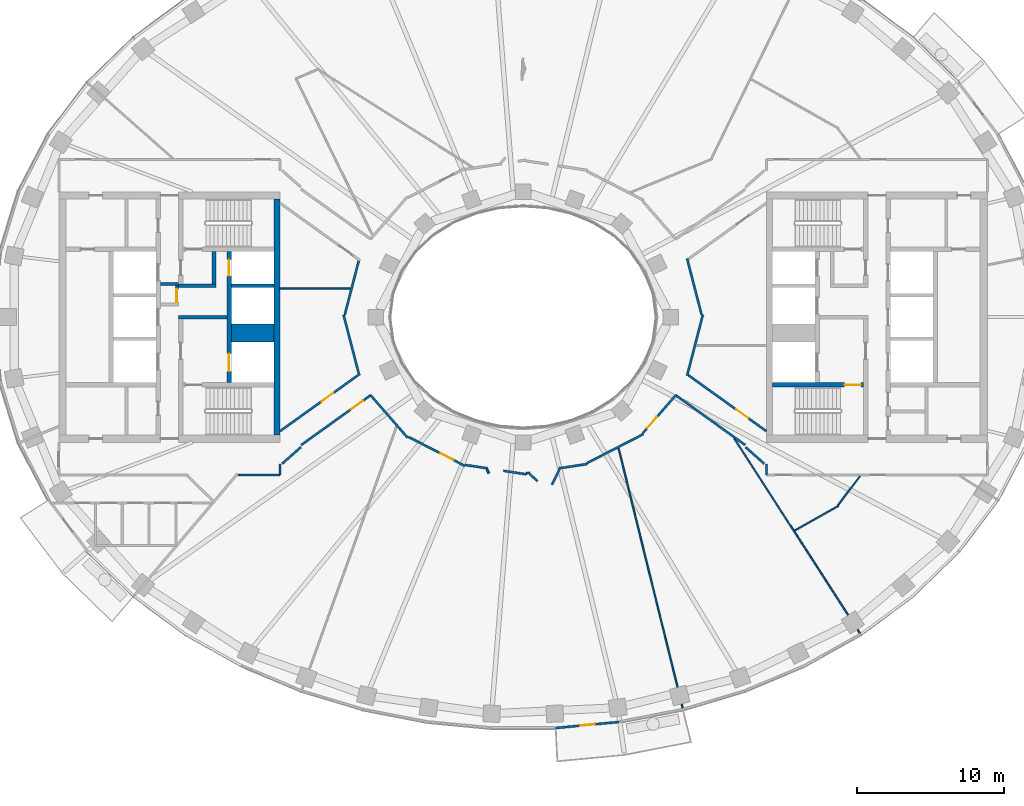
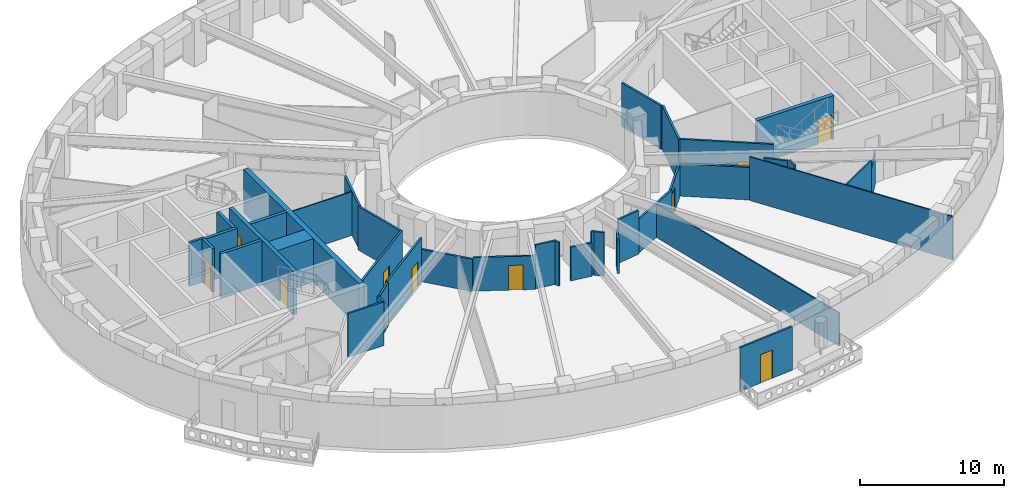
# One storey, part 4 of 16: 40 walls, 10 doors, 10 openings.
"""IFC4 building model written with IfcOpenShell, lengths in metres."""

from ifc_helpers import new_model, si_unit, direction, frame, frame_2d, origin, place, context, subcontext, project, spatial, rectangle, extrude, material, layer, layer_set, type_object, element, fill, save


model = new_model("IFC4")

# Units and contexts
model_context = context("Model", 3, precision=1e-05, world=origin(), true_north=direction((0.0, 1.0)))
body_context = subcontext(model_context, "Body", "Model", "MODEL_VIEW")
ifc_project = project(units=[si_unit("LENGTHUNIT", "METRE"), si_unit("AREAUNIT", "SQUARE_METRE"), si_unit("VOLUMEUNIT", "CUBIC_METRE"), si_unit("PLANEANGLEUNIT", "RADIAN"), si_unit("MASSUNIT", "GRAM", prefix="KILO")], contexts=[model_context])

# Site, building, storey
site_placement = place(None, origin())
site = spatial("IfcSite", under=ifc_project, at=site_placement, CompositionType="ELEMENT")
building_placement = place(site_placement, origin())
building = spatial("IfcBuilding", under=site, at=building_placement, Name="Noorbagh Ring Tower", CompositionType="ELEMENT")
storey_placement = place(building_placement, frame((0.0, 0.0, 186.0)))
storey = spatial("IfcBuildingStorey", under=building, at=storey_placement, Name="L43", CompositionType="ELEMENT", Elevation=186.0)

# Wall
ifc_material_1 = material(Name="Gypsum board on steel studs", Category="steel")
ifc_layer_1 = layer(ifc_material_1, 0.199951171875)
ifc_layer_set_1 = layer_set([ifc_layer_1], Name="Gypsum board on steel studs")
wall_type_1 = type_object("IfcWallType", Name="CORE-PARTITION-200", PredefinedType="PARTITIONING", material=ifc_layer_set_1)
wall_1_placement = place(storey_placement, frame((-23.39990234375, 2.25, 0.0), z_axis=(0.0, 0.0, 1.0), x_axis=(-1.0, 0.0, 0.0)))
element("IfcWall", 1, at=wall_1_placement, inside=storey, type_object=wall_type_1, Name="Core partition W", PredefinedType="PARTITIONING", context=body_context, shape_type="SweptSolid", body=[
    extrude(rectangle(XDim=1.2001953125, YDim=0.199951171875, at=frame_2d((0.60009765625, 0.0))), origin(), (0.0, 0.0, 1.0), 3.699951171875),
])

# Wall, opening, door
wall_2_placement = place(storey_placement, frame((-23.5, 0.75, 0.0), z_axis=(0.0, 0.0, 1.0), x_axis=(0.0, 1.0, 0.0)))
wall_2 = element("IfcWall", 2, at=wall_2_placement, inside=storey, type_object=wall_type_1, Name="Core partition W", PredefinedType="PARTITIONING", context=body_context, shape_type="SweptSolid", body=[
    extrude(rectangle(XDim=1.60009765625, YDim=0.199951171875, at=frame_2d((0.800048828125, 0.0))), origin(), (0.0, 0.0, 1.0), 3.699951171875),
])
opening_1_placement = place(wall_2_placement, frame((0.25, 0.0, 0.0)))
opening_1 = element("IfcOpeningElement", 3, at=opening_1_placement, cuts=wall_2, Name="Opening L43-CW16", PredefinedType="OPENING", context=body_context, shape_type="SweptSolid", body=[
    extrude(rectangle(XDim=0.89990234375, YDim=2.10009765625, at=frame_2d((0.449951171875, 1.050048828125))), frame((0.0, 0.10986328125, 0.0), z_axis=(0.0, -1.0, 0.0), x_axis=(1.0, 0.0, 0.0)), (0.0, 0.0, 1.0), 0.219970703125),
])
ifc_material_2 = material(Name="Steel door leaf", Category="steel")
door_type_1 = type_object("IfcDoorType", Name="CORE-DOOR-DROOM", OperationType="SINGLE_SWING_LEFT", PredefinedType="DOOR", material=ifc_material_2)
door_1_placement = place(opening_1_placement, origin())
door_1 = element("IfcDoor", 4, at=door_1_placement, inside=storey, type_object=door_type_1, Name="Core room door L43-CW16", OperationType="SINGLE_SWING_RIGHT", OverallHeight=2.10009765625, OverallWidth=0.89990234375, PredefinedType="DOOR", context=body_context, shape_type="SweptSolid", body=[
    extrude(rectangle(XDim=0.89990234375, YDim=2.10009765625, at=frame_2d((0.449951171875, 1.050048828125))), frame((0.0, 0.02490234375, 0.0), z_axis=(0.0, -1.0, 0.0), x_axis=(1.0, 0.0, 0.0)), (0.0, 0.0, 1.0), 0.050048828125),
])
fill(opening_1, door_1)

# Walls
ifc_material_3 = material(Name="Concrete C60/75", Category="concrete")
ifc_layer_2 = layer(ifc_material_3, 1.25)
ifc_layer_set_2 = layer_set([ifc_layer_2], Name="Concrete C60/75")
wall_type_2 = type_object("IfcWallType", Name="CORE-WALL-1250-C60-75-EI120", PredefinedType="SHEAR", material=ifc_layer_set_2)
wall_3_placement = place(storey_placement, frame((-16.89990234375, -1.074951171875, 0.0), z_axis=(0.0, 0.0, 1.0), x_axis=(-1.0, 0.0, 0.0)))
element("IfcWall", 5, at=wall_3_placement, inside=storey, type_object=wall_type_2, Name="Core wall W", PredefinedType="SHEAR", context=body_context, shape_type="SweptSolid", body=[
    extrude(rectangle(XDim=2.900146484375, YDim=1.25, at=frame_2d((1.4501953125, 0.0))), origin(), (0.0, 0.0, 1.0), 3.699951171875),
])
ifc_material_4 = material(Name="Concrete C60/75", Category="concrete")
ifc_layer_3 = layer(ifc_material_4, 0.25)
ifc_layer_set_3 = layer_set([ifc_layer_3], Name="Concrete C60/75")
wall_type_3 = type_object("IfcWallType", Name="CORE-WALL-250-C60-75-EI120", PredefinedType="SHEAR", material=ifc_layer_set_3)
wall_4_placement = place(storey_placement, frame((-16.89990234375, 2.125, 0.0), z_axis=(0.0, 0.0, 1.0), x_axis=(-1.0, 0.0, 0.0)))
element("IfcWall", 6, at=wall_4_placement, inside=storey, type_object=wall_type_3, Name="Core wall W", PredefinedType="SHEAR", context=body_context, shape_type="SweptSolid", body=[
    extrude(rectangle(XDim=2.900146484375, YDim=0.25, at=frame_2d((1.4501953125, 0.0))), origin(), (0.0, 0.0, 1.0), 3.699951171875),
])
ifc_material_5 = material(Name="Concrete C60/75", Category="concrete")
ifc_layer_4 = layer(ifc_material_5, 0.25)
ifc_layer_set_4 = layer_set([ifc_layer_4], Name="Concrete C60/75")
wall_type_4 = type_object("IfcWallType", Name="CORE-WALL-250-C60-75-EI240", PredefinedType="SHEAR", material=ifc_layer_set_4)
wall_5_placement = place(storey_placement, frame((-20.10009765625, 0.0, 0.0), z_axis=(0.0, 0.0, 1.0), x_axis=(-1.0, 0.0, 0.0)))
element("IfcWall", 7, at=wall_5_placement, inside=storey, type_object=wall_type_4, Name="Core wall W", PredefinedType="SHEAR", context=body_context, shape_type="SweptSolid", body=[
    extrude(rectangle(XDim=3.27978515625, YDim=0.25, at=frame_2d((1.639892578125, 0.0))), origin(), (0.0, 0.0, 1.0), 3.699951171875),
])
wall_6_placement = place(storey_placement, frame((-20.85009765625, 2.125, 0.0), z_axis=(0.0, 0.0, 1.0), x_axis=(-1.0, 0.0, 0.0)))
element("IfcWall", 8, at=wall_6_placement, inside=storey, type_object=wall_type_4, Name="Core wall W", PredefinedType="SHEAR", context=body_context, shape_type="SweptSolid", body=[
    extrude(rectangle(XDim=2.52978515625, YDim=0.25, at=frame_2d((1.264892578125, 0.0))), origin(), (0.0, 0.0, 1.0), 3.699951171875),
])
wall_7_placement = place(storey_placement, frame((-20.97509765625, 2.25, 0.0), z_axis=(0.0, 0.0, 1.0), x_axis=(0.0, 1.0, 0.0)))
element("IfcWall", 9, at=wall_7_placement, inside=storey, type_object=wall_type_4, Name="Core wall W", PredefinedType="SHEAR", context=body_context, shape_type="SweptSolid", body=[
    extrude(rectangle(XDim=2.199951171875, YDim=0.25, at=frame_2d((1.10009765625, 0.0))), origin(), (0.0, 0.0, 1.0), 3.699951171875),
])

# Wall, openings, doors
ifc_material_6 = material(Name="Concrete C60/75", Category="concrete")
ifc_layer_5 = layer(ifc_material_6, 0.300048828125)
ifc_layer_set_5 = layer_set([ifc_layer_5], Name="Concrete C60/75")
wall_type_5 = type_object("IfcWallType", Name="CORE-WALL-300-C60-75-EI120", PredefinedType="SHEAR", material=ifc_layer_set_5)
wall_8_placement = place(storey_placement, frame((-19.949951171875, -4.449951171875, 0.0), z_axis=(0.0, 0.0, 1.0), x_axis=(0.0, 1.0, 0.0)))
wall_8 = element("IfcWall", 10, at=wall_8_placement, inside=storey, type_object=wall_type_5, Name="Core wall W", PredefinedType="SHEAR", context=body_context, shape_type="SweptSolid", body=[
    extrude(rectangle(XDim=8.89990234375, YDim=0.300048828125, at=frame_2d((4.449951171875, 0.0))), origin(), (0.0, 0.0, 1.0), 3.699951171875),
])
opening_2_placement = place(wall_8_placement, frame((0.77490234375, 0.0, 0.0)))
opening_2 = element("IfcOpeningElement", 11, at=opening_2_placement, cuts=wall_8, Name="Opening L43-CW01", PredefinedType="OPENING", context=body_context, shape_type="SweptSolid", body=[
    extrude(rectangle(XDim=1.199951171875, YDim=2.10009765625, at=frame_2d((0.60009765625, 1.050048828125))), frame((0.0, 0.16015625, 0.0), z_axis=(0.0, -1.0, 0.0), x_axis=(1.0, 0.0, 0.0)), (0.0, 0.0, 1.0), 0.320068359375),
])
opening_3_placement = place(wall_8_placement, frame((7.25, 0.0, 0.0)))
opening_3 = element("IfcOpeningElement", 12, at=opening_3_placement, cuts=wall_8, Name="Opening L43-CW02", PredefinedType="OPENING", context=body_context, shape_type="SweptSolid", body=[
    extrude(rectangle(XDim=1.10009765625, YDim=2.10009765625, at=frame_2d((0.550048828125, 1.050048828125))), frame((0.0, 0.16015625, 0.0), z_axis=(0.0, -1.0, 0.0), x_axis=(1.0, 0.0, 0.0)), (0.0, 0.0, 1.0), 0.320068359375),
])
ifc_material_7 = material(Name="Steel door leaf", Category="steel")
door_type_2 = type_object("IfcDoorType", Name="CORE-DOOR-LD", OperationType="DOUBLE_DOOR_SLIDING", PredefinedType="DOOR", material=ifc_material_7)
door_2_placement = place(opening_3_placement, origin())
door_2 = element("IfcDoor", 13, at=door_2_placement, inside=storey, type_object=door_type_2, Name="Landing door HR1 L43-CW02", OperationType="DOUBLE_DOOR_SLIDING", OverallHeight=2.10009765625, OverallWidth=1.10009765625, PredefinedType="DOOR", context=body_context, shape_type="SweptSolid", body=[
    extrude(rectangle(XDim=1.10009765625, YDim=2.10009765625, at=frame_2d((0.550048828125, 1.050048828125))), frame((0.0, 0.02490234375, 0.0), z_axis=(0.0, -1.0, 0.0), x_axis=(1.0, 0.0, 0.0)), (0.0, 0.0, 1.0), 0.050048828125),
])
fill(opening_3, door_2)
ifc_material_8 = material(Name="Steel door leaf", Category="steel")
door_type_3 = type_object("IfcDoorType", Name="CORE-DOOR-LDW", OperationType="DOUBLE_DOOR_SLIDING", PredefinedType="DOOR", material=ifc_material_8)
door_3_placement = place(opening_2_placement, origin())
door_3 = element("IfcDoor", 14, at=door_3_placement, inside=storey, type_object=door_type_3, Name="Landing door FF1 L43-CW01", OperationType="DOUBLE_DOOR_SLIDING", OverallHeight=2.10009765625, OverallWidth=1.199951171875, PredefinedType="DOOR", context=body_context, shape_type="SweptSolid", body=[
    extrude(rectangle(XDim=1.199951171875, YDim=2.10009765625, at=frame_2d((0.60009765625, 1.050048828125))), frame((0.0, 0.02490234375, 0.0), z_axis=(0.0, -1.0, 0.0), x_axis=(1.0, 0.0, 0.0)), (0.0, 0.0, 1.0), 0.050048828125),
])
fill(opening_2, door_3)

# Wall, opening, door
ifc_material_9 = material(Name="Concrete C60/75", Category="concrete")
ifc_layer_6 = layer(ifc_material_9, 0.300048828125)
ifc_layer_set_6 = layer_set([ifc_layer_6], Name="Concrete C60/75")
wall_type_6 = type_object("IfcWallType", Name="CORE-WALL-300-C60-75-EI240", PredefinedType="SHEAR", material=ifc_layer_set_6)
wall_9_placement = place(storey_placement, frame((16.89990234375, -4.60009765625, 0.0), z_axis=(0.0, 0.0, 1.0), x_axis=(1.0, 0.0, 0.0)))
wall_9 = element("IfcWall", 15, at=wall_9_placement, inside=storey, type_object=wall_type_6, Name="Core wall E", PredefinedType="SHEAR", context=body_context, shape_type="SweptSolid", body=[
    extrude(rectangle(XDim=6.18017578125, YDim=0.300048828125, at=frame_2d((3.090087890625, 0.0))), origin(), (0.0, 0.0, 1.0), 3.699951171875),
])
opening_4_placement = place(wall_9_placement, frame((4.89990234375, 0.0, 0.0)))
opening_4 = element("IfcOpeningElement", 16, at=opening_4_placement, cuts=wall_9, Name="Opening L43-CE08", PredefinedType="OPENING", context=body_context, shape_type="SweptSolid", body=[
    extrude(rectangle(XDim=1.10009765625, YDim=2.10009765625, at=frame_2d((0.550048828125, 1.050048828125))), frame((0.0, 0.16015625, 0.0), z_axis=(0.0, -1.0, 0.0), x_axis=(1.0, 0.0, 0.0)), (0.0, 0.0, 1.0), 0.320068359375),
])
ifc_material_10 = material(Name="Steel door leaf", Category="steel")
door_type_4 = type_object("IfcDoorType", Name="CORE-DOOR-DSTAIR", OperationType="SINGLE_SWING_LEFT", PredefinedType="DOOR", material=ifc_material_10)
door_4_placement = place(opening_4_placement, origin())
door_4 = element("IfcDoor", 17, at=door_4_placement, inside=storey, type_object=door_type_4, Name="Stair door ST4 L43-CE08", OperationType="SINGLE_SWING_RIGHT", OverallHeight=2.10009765625, OverallWidth=1.10009765625, PredefinedType="DOOR", context=body_context, shape_type="SweptSolid", body=[
    extrude(rectangle(XDim=1.10009765625, YDim=2.10009765625, at=frame_2d((0.550048828125, 1.050048828125))), frame((0.0, 0.02490234375, 0.0), z_axis=(0.0, -1.0, 0.0), x_axis=(1.0, 0.0, 0.0)), (0.0, 0.0, 1.0), 0.050048828125),
])
fill(opening_4, door_4)

# Walls
ifc_material_11 = material(Name="Concrete C60/75", Category="concrete")
ifc_layer_7 = layer(ifc_material_11, 0.39990234375)
ifc_layer_set_7 = layer_set([ifc_layer_7], Name="Concrete C60/75")
wall_type_7 = type_object("IfcWallType", Name="CORE-WALL-400-C60-75-EI240", PredefinedType="SHEAR", material=ifc_layer_set_7)
wall_10_placement = place(storey_placement, frame((-16.699951171875, -8.0, 0.0), z_axis=(0.0, 0.0, 1.0), x_axis=(0.0, 1.0, 0.0)))
element("IfcWall", 18, at=wall_10_placement, inside=storey, type_object=wall_type_7, Name="Core wall W", PredefinedType="SHEAR", context=body_context, shape_type="SweptSolid", body=[
    extrude(rectangle(XDim=16.0, YDim=0.39990234375, at=frame_2d((8.0, 0.0))), origin(), (0.0, 0.0, 1.0), 3.699951171875),
])
ifc_material_12 = material(Name="Gypsum board on steel studs", Category="steel")
ifc_layer_8 = layer(ifc_material_12, 0.14990234375)
ifc_layer_set_8 = layer_set([ifc_layer_8], Name="Gypsum board on steel studs")
wall_type_8 = type_object("IfcWallType", Name="CORRIDOR PARTITION 150 EI 30", PredefinedType="PARTITIONING", material=ifc_layer_set_8)
wall_11_placement = place(storey_placement, frame((-19.346923828125, -10.699951171875, 0.0), z_axis=(0.0, 0.0, 1.0), x_axis=(1.0, 0.0, 0.0)))
element("IfcWall", 19, at=wall_11_placement, inside=storey, type_object=wall_type_8, Name="L43/wall/P18", PredefinedType="PARTITIONING", context=body_context, shape_type="SweptSolid", body=[
    extrude(rectangle(XDim=2.846923828125, YDim=0.14990234375, at=frame_2d((1.42333984375, 0.0))), origin(), (0.0, 0.0, 1.0), 3.699951171875),
])
wall_12_placement = place(storey_placement, frame((-16.5, -10.699951171875, 0.0), z_axis=(0.0, 0.0, 1.0), x_axis=(0.0, 1.0, 0.0)))
element("IfcWall", 20, at=wall_12_placement, inside=storey, type_object=wall_type_8, Name="L43/wall/P19", PredefinedType="PARTITIONING", context=body_context, shape_type="SweptSolid", body=[
    extrude(rectangle(XDim=0.73583984375, YDim=0.14990234375, at=frame_2d((0.367919921875, 0.0))), origin(), (0.0, 0.0, 1.0), 3.699951171875),
])

# Wall, opening, door
wall_13_placement = place(storey_placement, frame((-16.5, -7.739013671875, 0.0), z_axis=(0.0, 0.0, 1.0), x_axis=(0.812415179651, 0.583079390712, 0.0)))
wall_13 = element("IfcWall", 21, at=wall_13_placement, inside=storey, type_object=wall_type_8, Name="L43/wall/P22", PredefinedType="PARTITIONING", context=body_context, shape_type="SweptSolid", body=[
    extrude(rectangle(XDim=6.68017578125, YDim=0.14990234375, at=frame_2d((3.340087890625, 0.0))), origin(), (0.0, 0.0, 1.0), 3.699951171875),
])
opening_5_placement = place(wall_13_placement, frame((3.449951171875, 0.0, 0.0)))
opening_5 = element("IfcOpeningElement", 22, at=opening_5_placement, cuts=wall_13, Name="Opening D1", PredefinedType="OPENING", context=body_context, shape_type="SweptSolid", body=[
    extrude(rectangle(XDim=1.0, YDim=2.10009765625, at=frame_2d((0.5, 1.050048828125))), frame((0.0, 0.0849609375, 0.0), z_axis=(0.0, -1.0, 0.0), x_axis=(1.0, 0.0, 0.0)), (0.0, 0.0, 1.0), 0.169921875),
])
ifc_material_13 = material(Name="Timber, painted", Category="wood")
door_type_5 = type_object("IfcDoorType", Name="DOOR 1000 X 2100 FD30", OperationType="SINGLE_SWING_LEFT", PredefinedType="DOOR", material=ifc_material_13)
door_5_placement = place(opening_5_placement, origin())
door_5 = element("IfcDoor", 23, at=door_5_placement, inside=storey, type_object=door_type_5, Name="L43-D17", OperationType="SINGLE_SWING_LEFT", OverallHeight=2.10009765625, OverallWidth=1.0, PredefinedType="DOOR", context=body_context, shape_type="SweptSolid", body=[
    extrude(rectangle(XDim=1.0, YDim=2.10009765625, at=frame_2d((0.5, 1.050048828125))), frame((0.0, 0.02490234375, 0.0), z_axis=(0.0, -1.0, 0.0), x_axis=(1.0, 0.0, 0.0)), (0.0, 0.0, 1.0), 0.050048828125),
])
fill(opening_5, door_5)

wall_14_placement = place(storey_placement, frame((-15.06201171875, -8.676025390625, 0.0), z_axis=(0.0, 0.0, 1.0), x_axis=(0.812494026232, 0.582969516645, 0.0)))
wall_14 = element("IfcWall", 24, at=wall_14_placement, inside=storey, type_object=wall_type_8, Name="L43/wall/P26", PredefinedType="PARTITIONING", context=body_context, shape_type="SweptSolid", body=[
    extrude(rectangle(XDim=5.798095703125, YDim=0.14990234375, at=frame_2d((2.89892578125, 0.0))), origin(), (0.0, 0.0, 1.0), 3.699951171875),
])
opening_6_placement = place(wall_14_placement, frame((4.14990234375, 0.0, 0.0)))
opening_6 = element("IfcOpeningElement", 25, at=opening_6_placement, cuts=wall_14, Name="Opening D1", PredefinedType="OPENING", context=body_context, shape_type="SweptSolid", body=[
    extrude(rectangle(XDim=1.0, YDim=2.10009765625, at=frame_2d((0.5, 1.050048828125))), frame((0.0, 0.0849609375, 0.0), z_axis=(0.0, -1.0, 0.0), x_axis=(1.0, 0.0, 0.0)), (0.0, 0.0, 1.0), 0.169921875),
])
door_6_placement = place(opening_6_placement, origin())
door_6 = element("IfcDoor", 26, at=door_6_placement, inside=storey, type_object=door_type_5, Name="L43-D08", OperationType="SINGLE_SWING_RIGHT", OverallHeight=2.10009765625, OverallWidth=1.0, PredefinedType="DOOR", context=body_context, shape_type="SweptSolid", body=[
    extrude(rectangle(XDim=1.0, YDim=2.10009765625, at=frame_2d((0.5, 1.050048828125))), frame((0.0, 0.02490234375, 0.0), z_axis=(0.0, -1.0, 0.0), x_axis=(1.0, 0.0, 0.0)), (0.0, 0.0, 1.0), 0.050048828125),
])
fill(opening_6, door_6)

# Walls
wall_15_placement = place(storey_placement, frame((-12.18505859375, 0.14990234375, 0.0), z_axis=(0.0, 0.0, 1.0), x_axis=(0.250889720729, -0.96801567551, 0.0)))
element("IfcWall", 27, at=wall_15_placement, inside=storey, type_object=wall_type_8, Name="L43/wall/P30", PredefinedType="PARTITIONING", context=body_context, shape_type="SweptSolid", body=[
    extrude(rectangle(XDim=4.09375, YDim=0.14990234375, at=frame_2d((2.046875, 0.0))), origin(), (0.0, 0.0, 1.0), 3.699951171875),
])
wall_16_placement = place(storey_placement, frame((-12.10693359375, 0.14990234375, 0.0), z_axis=(0.0, 0.0, 1.0), x_axis=(0.250785266445, 0.968042741894, 0.0)))
element("IfcWall", 28, at=wall_16_placement, inside=storey, type_object=wall_type_8, Name="L43/wall/P31", PredefinedType="PARTITIONING", context=body_context, shape_type="SweptSolid", body=[
    extrude(rectangle(XDim=3.783935546875, YDim=0.14990234375, at=frame_2d((1.89208984375, 0.0))), origin(), (0.0, 0.0, 1.0), 3.699951171875),
])
wall_17_placement = place(storey_placement, frame((-10.35107421875, -5.2958984375, 0.0), z_axis=(0.0, 0.0, 1.0), x_axis=(0.656297424411, -0.754502280124, 0.0)))
element("IfcWall", 29, at=wall_17_placement, inside=storey, type_object=wall_type_8, Name="L43/wall/P32", PredefinedType="PARTITIONING", context=body_context, shape_type="SweptSolid", body=[
    extrude(rectangle(XDim=3.818603515625, YDim=0.14990234375, at=frame_2d((1.9091796875, 0.0))), origin(), (0.0, 0.0, 1.0), 2.75),
])

# Wall, opening, door
wall_18_placement = place(storey_placement, frame((-7.798095703125, -8.115966796875, 0.0), z_axis=(0.0, 0.0, 1.0), x_axis=(0.889319313061, -0.457286736542, 0.0)))
wall_18 = element("IfcWall", 30, at=wall_18_placement, inside=storey, type_object=wall_type_8, Name="L43/wall/P34", PredefinedType="PARTITIONING", context=body_context, shape_type="SweptSolid", body=[
    extrude(rectangle(XDim=4.3212890625, YDim=0.14990234375, at=frame_2d((2.16064453125, 0.0))), origin(), (0.0, 0.0, 1.0), 2.85009765625),
])
opening_7_placement = place(wall_18_placement, frame((2.447998046875, 0.0, 0.0)))
opening_7 = element("IfcOpeningElement", 31, at=opening_7_placement, cuts=wall_18, Name="Opening D1", PredefinedType="OPENING", context=body_context, shape_type="SweptSolid", body=[
    extrude(rectangle(XDim=1.0, YDim=2.10009765625, at=frame_2d((0.5, 1.050048828125))), frame((0.0, 0.0849609375, 0.0), z_axis=(0.0, -1.0, 0.0), x_axis=(1.0, 0.0, 0.0)), (0.0, 0.0, 1.0), 0.169921875),
])
door_7_placement = place(opening_7_placement, origin())
door_7 = element("IfcDoor", 32, at=door_7_placement, inside=storey, type_object=door_type_5, Name="L43-D10", OperationType="SINGLE_SWING_RIGHT", OverallHeight=2.10009765625, OverallWidth=1.0, PredefinedType="DOOR", context=body_context, shape_type="SweptSolid", body=[
    extrude(rectangle(XDim=1.0, YDim=2.10009765625, at=frame_2d((0.5, 1.050048828125))), frame((0.0, 0.02490234375, 0.0), z_axis=(0.0, -1.0, 0.0), x_axis=(1.0, 0.0, 0.0)), (0.0, 0.0, 1.0), 0.050048828125),
])
fill(opening_7, door_7)

# Walls
wall_19_placement = place(storey_placement, frame((-3.93408203125, -10.02587890625, 0.0), z_axis=(0.0, 0.0, 1.0), x_axis=(0.988475056892, -0.151383823121, 0.0)))
element("IfcWall", 33, at=wall_19_placement, inside=storey, type_object=wall_type_8, Name="L43/wall/P36", PredefinedType="PARTITIONING", context=body_context, shape_type="SweptSolid", body=[
    extrude(rectangle(XDim=1.552978515625, YDim=0.14990234375, at=frame_2d((0.7763671875, 0.0))), origin(), (0.0, 0.0, 1.0), 3.699951171875),
])
wall_20_placement = place(storey_placement, frame((-2.4560546875, -10.327880859375, 0.0), z_axis=(0.0, 0.0, 1.0), x_axis=(0.439137872532, -0.898419684172, 0.0)))
element("IfcWall", 34, at=wall_20_placement, inside=storey, type_object=wall_type_8, Name="L43/wall/P38", PredefinedType="PARTITIONING", context=body_context, shape_type="SweptSolid", body=[
    extrude(rectangle(XDim=0.302978515625, YDim=0.14990234375, at=frame_2d((0.1513671875, 0.0))), origin(), (0.0, 0.0, 1.0), 3.699951171875),
])
wall_21_placement = place(storey_placement, frame((-1.339111328125, -10.424072265625, 0.0), z_axis=(0.0, 0.0, 1.0), x_axis=(0.988543752216, -0.150934588328, 0.0)))
element("IfcWall", 35, at=wall_21_placement, inside=storey, type_object=wall_type_8, Name="L43/wall/P40", PredefinedType="PARTITIONING", context=body_context, shape_type="SweptSolid", body=[
    extrude(rectangle(XDim=1.569091796875, YDim=0.14990234375, at=frame_2d((0.78466796875, 0.0))), origin(), (0.0, 0.0, 1.0), 2.85009765625),
])
wall_22_placement = place(storey_placement, frame((0.2119140625, -10.595947265625, 0.0), z_axis=(0.0, 0.0, 1.0), x_axis=(0.988383030612, 0.151983501731, 0.0)))
element("IfcWall", 36, at=wall_22_placement, inside=storey, type_object=wall_type_8, Name="L43/wall/P45", PredefinedType="PARTITIONING", context=body_context, shape_type="SweptSolid", body=[
    extrude(rectangle(XDim=0.2490234375, YDim=0.14990234375, at=frame_2d((0.12451171875, 0.0))), origin(), (0.0, 0.0, 1.0), 3.699951171875),
])
wall_23_placement = place(storey_placement, frame((0.431884765625, -10.64208984375, 0.0), z_axis=(0.0, 0.0, 1.0), x_axis=(0.749630131406, -0.661856983108, 0.0)))
element("IfcWall", 37, at=wall_23_placement, inside=storey, type_object=wall_type_8, Name="L43/wall/P47", PredefinedType="PARTITIONING", context=body_context, shape_type="SweptSolid", body=[
    extrude(rectangle(XDim=0.720458984375, YDim=0.14990234375, at=frame_2d((0.3603515625, 0.0))), origin(), (0.0, 0.0, 1.0), 3.699951171875),
])
wall_24_placement = place(storey_placement, frame((1.950927734375, -11.363037109375, 0.0), z_axis=(0.0, 0.0, 1.0), x_axis=(0.438481320521, 0.89874030262, 0.0)))
element("IfcWall", 38, at=wall_24_placement, inside=storey, type_object=wall_type_8, Name="L43/wall/P48", PredefinedType="PARTITIONING", context=body_context, shape_type="SweptSolid", body=[
    extrude(rectangle(XDim=1.333984375, YDim=0.14990234375, at=frame_2d((0.6669921875, 0.0))), origin(), (0.0, 0.0, 1.0), 2.85009765625),
])
wall_25_placement = place(storey_placement, frame((2.5791015625, -10.23291015625, 0.0), z_axis=(0.0, 0.0, 1.0), x_axis=(0.988593378539, 0.150609202605, 0.0)))
element("IfcWall", 39, at=wall_25_placement, inside=storey, type_object=wall_type_8, Name="L43/wall/P50", PredefinedType="PARTITIONING", context=body_context, shape_type="SweptSolid", body=[
    extrude(rectangle(XDim=1.79931640625, YDim=0.14990234375, at=frame_2d((0.899658203125, 0.0))), origin(), (0.0, 0.0, 1.0), 3.699951171875),
])
wall_26_placement = place(storey_placement, frame((4.3369140625, -9.89599609375, 0.0), z_axis=(0.0, 0.0, 1.0), x_axis=(0.889382211946, 0.457164391739, 0.0)))
element("IfcWall", 40, at=wall_26_placement, inside=storey, type_object=wall_type_8, Name="L43/wall/P51", PredefinedType="PARTITIONING", context=body_context, shape_type="SweptSolid", body=[
    extrude(rectangle(XDim=4.29638671875, YDim=0.14990234375, at=frame_2d((2.148193359375, 0.0))), origin(), (0.0, 0.0, 1.0), 2.85009765625),
])

# Wall, opening, door
wall_27_placement = place(storey_placement, frame((8.111083984375, -7.87109375, 0.0), z_axis=(0.0, 0.0, 1.0), x_axis=(0.656293818527, 0.754505416656, 0.0)))
wall_27 = element("IfcWall", 41, at=wall_27_placement, inside=storey, type_object=wall_type_8, Name="L43/wall/P55", PredefinedType="PARTITIONING", context=body_context, shape_type="SweptSolid", body=[
    extrude(rectangle(XDim=3.4130859375, YDim=0.14990234375, at=frame_2d((1.70654296875, 0.0))), origin(), (0.0, 0.0, 1.0), 2.75),
])
opening_8_placement = place(wall_27_placement, frame((0.447265625, 0.0, 0.0)))
opening_8 = element("IfcOpeningElement", 42, at=opening_8_placement, cuts=wall_27, Name="Opening D1", PredefinedType="OPENING", context=body_context, shape_type="SweptSolid", body=[
    extrude(rectangle(XDim=1.0, YDim=2.10009765625, at=frame_2d((0.5, 1.050048828125))), frame((0.0, 0.0849609375, 0.0), z_axis=(0.0, -1.0, 0.0), x_axis=(1.0, 0.0, 0.0)), (0.0, 0.0, 1.0), 0.169921875),
])
door_8_placement = place(opening_8_placement, origin())
door_8 = element("IfcDoor", 43, at=door_8_placement, inside=storey, type_object=door_type_5, Name="L43-D11", OperationType="SINGLE_SWING_LEFT", OverallHeight=2.10009765625, OverallWidth=1.0, PredefinedType="DOOR", context=body_context, shape_type="SweptSolid", body=[
    extrude(rectangle(XDim=1.0, YDim=2.10009765625, at=frame_2d((0.5, 1.050048828125))), frame((0.0, 0.02490234375, 0.0), z_axis=(0.0, -1.0, 0.0), x_axis=(1.0, 0.0, 0.0)), (0.0, 0.0, 1.0), 0.050048828125),
])
fill(opening_8, door_8)

# Walls
wall_28_placement = place(storey_placement, frame((10.35107421875, -5.2958984375, 0.0), z_axis=(0.0, 0.0, 1.0), x_axis=(0.812494026232, -0.582969516645, 0.0)))
element("IfcWall", 44, at=wall_28_placement, inside=storey, type_object=wall_type_8, Name="L43/wall/P57", PredefinedType="PARTITIONING", context=body_context, shape_type="SweptSolid", body=[
    extrude(rectangle(XDim=5.798095703125, YDim=0.14990234375, at=frame_2d((2.89892578125, 0.0))), origin(), (0.0, 0.0, 1.0), 2.75),
])
wall_29_placement = place(storey_placement, frame((11.117919921875, -3.968994140625, 0.0), z_axis=(0.0, 0.0, 1.0), x_axis=(0.250802851702, 0.968038186012, 0.0)))
element("IfcWall", 45, at=wall_29_placement, inside=storey, type_object=wall_type_8, Name="L43/wall/P59", PredefinedType="PARTITIONING", context=body_context, shape_type="SweptSolid", body=[
    extrude(rectangle(XDim=4.2548828125, YDim=0.14990234375, at=frame_2d((2.12744140625, 0.0))), origin(), (0.0, 0.0, 1.0), 3.699951171875),
])

# Wall, opening, door
wall_30_placement = place(storey_placement, frame((11.202880859375, -3.93798828125, 0.0), z_axis=(0.0, 0.0, 1.0), x_axis=(0.812471543061, -0.583000850528, 0.0)))
wall_30 = element("IfcWall", 46, at=wall_30_placement, inside=storey, type_object=wall_type_8, Name="L43/wall/P60", PredefinedType="PARTITIONING", context=body_context, shape_type="SweptSolid", body=[
    extrude(rectangle(XDim=6.519775390625, YDim=0.14990234375, at=frame_2d((3.259765625, 0.0))), origin(), (0.0, 0.0, 1.0), 3.699951171875),
])
opening_9_placement = place(wall_30_placement, frame((4.00048828125, 0.0, 0.0)))
opening_9 = element("IfcOpeningElement", 47, at=opening_9_placement, cuts=wall_30, Name="Opening D1", PredefinedType="OPENING", context=body_context, shape_type="SweptSolid", body=[
    extrude(rectangle(XDim=1.0, YDim=2.10009765625, at=frame_2d((0.5, 1.050048828125))), frame((0.0, 0.0849609375, 0.0), z_axis=(0.0, -1.0, 0.0), x_axis=(1.0, 0.0, 0.0)), (0.0, 0.0, 1.0), 0.169921875),
])
door_9_placement = place(opening_9_placement, origin())
door_9 = element("IfcDoor", 48, at=door_9_placement, inside=storey, type_object=door_type_5, Name="L43-D19", OperationType="SINGLE_SWING_LEFT", OverallHeight=2.10009765625, OverallWidth=1.0, PredefinedType="DOOR", context=body_context, shape_type="SweptSolid", body=[
    extrude(rectangle(XDim=1.0, YDim=2.10009765625, at=frame_2d((0.5, 1.050048828125))), frame((0.0, 0.02490234375, 0.0), z_axis=(0.0, -1.0, 0.0), x_axis=(1.0, 0.0, 0.0)), (0.0, 0.0, 1.0), 0.050048828125),
])
fill(opening_9, door_9)

# Walls
wall_31_placement = place(storey_placement, frame((11.117919921875, 3.968994140625, 0.0), z_axis=(0.0, 0.0, 1.0), x_axis=(0.250695837289, -0.968065905384, 0.0)))
element("IfcWall", 49, at=wall_31_placement, inside=storey, type_object=wall_type_8, Name="L43/wall/P61", PredefinedType="PARTITIONING", context=body_context, shape_type="SweptSolid", body=[
    extrude(rectangle(XDim=3.945068359375, YDim=0.14990234375, at=frame_2d((1.97265625, 0.0))), origin(), (0.0, 0.0, 1.0), 3.699951171875),
])
wall_32_placement = place(storey_placement, frame((16.5, -10.699951171875, 0.0), z_axis=(0.0, 0.0, 1.0), x_axis=(0.0, 1.0, 0.0)))
element("IfcWall", 50, at=wall_32_placement, inside=storey, type_object=wall_type_8, Name="L43/wall/P67", PredefinedType="PARTITIONING", context=body_context, shape_type="SweptSolid", body=[
    extrude(rectangle(XDim=0.73583984375, YDim=0.14990234375, at=frame_2d((0.367919921875, 0.0))), origin(), (0.0, 0.0, 1.0), 3.699951171875),
])
for number, where, z_axis, x_axis, name in (
    (51, (-15.087890625, -8.823974609375, 0.0), (0.0, 0.0, 1.0), (-0.749107006374, -0.662449011624, 0.0), "L43/wall/P78"),
    (52, (16.35205078125, -9.94189453125, 0.0), (0.0, 0.0, 1.0), (-0.749107006374, 0.662449011624, 0.0), "L43/wall/P80"),
):
    element("IfcWall", number, at=place(storey_placement, frame(where, z_axis=z_axis, x_axis=x_axis)), inside=storey, type_object=wall_type_8, Name=name, PredefinedType="PARTITIONING", context=body_context, shape_type="SweptSolid", body=[
        extrude(rectangle(XDim=1.6875, YDim=0.14990234375, at=frame_2d((0.84375, 0.0))), origin(), (0.0, 0.0, 1.0), 3.699951171875),
    ])

# Wall, opening, door
ifc_material_14 = material(Name="Insulated aluminium clad panel", Category="aluminium")
ifc_layer_9 = layer(ifc_material_14, 0.14990234375)
ifc_layer_set_9 = layer_set([ifc_layer_9], Name="Insulated aluminium clad panel")
wall_type_9 = type_object("IfcWallType", Name="ENV-WALL-DOOR", PredefinedType="STANDARD", material=ifc_layer_set_9)
wall_33_placement = place(storey_placement, frame((2.166259765625, -27.875244140625, 0.0), z_axis=(0.0, 0.0, 1.0), x_axis=(0.995473879823, 0.095035543824, 0.0)))
wall_33 = element("IfcWall", 53, at=wall_33_placement, inside=storey, type_object=wall_type_9, Name="Balcony door wall chord 36", PredefinedType="STANDARD", context=body_context, shape_type="SweptSolid", body=[
    extrude(rectangle(XDim=4.42626953125, YDim=0.14990234375, at=frame_2d((2.213134765625, 0.0))), origin(), (0.0, 0.0, 1.0), 3.699951171875),
])
opening_10_placement = place(wall_33_placement, frame((1.713134765625, 0.0, 0.0)))
opening_10 = element("IfcOpeningElement", 54, at=opening_10_placement, cuts=wall_33, Name="Opening D-BL", PredefinedType="OPENING", context=body_context, shape_type="SweptSolid", body=[
    extrude(rectangle(XDim=1.0, YDim=2.39990234375, at=frame_2d((0.5, 1.199951171875))), frame((0.0, 0.0849609375, 0.0), z_axis=(0.0, -1.0, 0.0), x_axis=(1.0, 0.0, 0.0)), (0.0, 0.0, 1.0), 0.169921875),
])
ifc_material_15 = material(Name="Aluminium and glass", Category="aluminium")
door_type_6 = type_object("IfcDoorType", Name="ENV-DOOR-BALCONY", OperationType="SINGLE_SWING_LEFT", PredefinedType="DOOR", material=ifc_material_15)
door_10_placement = place(opening_10_placement, origin())
door_10 = element("IfcDoor", 55, at=door_10_placement, inside=storey, type_object=door_type_6, Name="Balcony door chord 36", OperationType="SINGLE_SWING_RIGHT", OverallHeight=2.39990234375, OverallWidth=1.0, PredefinedType="DOOR", context=body_context, shape_type="SweptSolid", body=[
    extrude(rectangle(XDim=1.0, YDim=2.39990234375, at=frame_2d((0.5, 1.199951171875))), frame((0.0, 0.02490234375, 0.0), z_axis=(0.0, -1.0, 0.0), x_axis=(1.0, 0.0, 0.0)), (0.0, 0.0, 1.0), 0.050048828125),
])
fill(opening_10, door_10)

# Walls
ifc_material_16 = material(Name="Gypsum board on steel studs", Category="steel")
ifc_layer_10 = layer(ifc_material_16, 0.10009765625)
ifc_layer_set_10 = layer_set([ifc_layer_10], Name="Gypsum board on steel studs")
wall_type_10 = type_object("IfcWallType", Name="PARTITION 100 GYPSUM", PredefinedType="PARTITIONING", material=ifc_layer_set_10)
wall_34_placement = place(storey_placement, frame((-16.5, 1.927978515625, 0.0), z_axis=(0.0, 0.0, 1.0), x_axis=(1.0, 0.0, 0.0)))
element("IfcWall", 56, at=wall_34_placement, inside=storey, type_object=wall_type_10, Name="L43/wall/P20", PredefinedType="PARTITIONING", context=body_context, shape_type="SweptSolid", body=[
    extrude(rectangle(XDim=4.77294921875, YDim=0.10009765625, at=frame_2d((2.386474609375, 0.0))), origin(), (0.0, 0.0, 1.0), 3.699951171875),
])
wall_35_placement = place(storey_placement, frame((6.467041015625, -8.888916015625, 0.0), z_axis=(0.0, 0.0, 1.0), x_axis=(0.239792865419, -0.970824073504, 0.0)))
element("IfcWall", 57, at=wall_35_placement, inside=storey, type_object=wall_type_10, Name="L43/wall/P53", PredefinedType="PARTITIONING", context=body_context, shape_type="SweptSolid", body=[
    extrude(rectangle(XDim=18.290771484375, YDim=0.10009765625, at=frame_2d((9.1455078125, 0.0))), origin(), (0.0, 0.0, 1.0), 2.85009765625),
])
wall_36_placement = place(storey_placement, frame((14.31689453125, -8.236083984375, 0.0), z_axis=(0.0, 0.0, 1.0), x_axis=(0.542334368531, -0.840162741801, 0.0)))
element("IfcWall", 58, at=wall_36_placement, inside=storey, type_object=wall_type_10, Name="L43/wall/P65", PredefinedType="PARTITIONING", context=body_context, shape_type="SweptSolid", body=[
    extrude(rectangle(XDim=15.83740234375, YDim=0.10009765625, at=frame_2d((7.918701171875, 0.0))), origin(), (0.0, 0.0, 1.0), 3.699951171875),
])
wall_37_placement = place(storey_placement, frame((18.408935546875, -14.48193359375, 0.0), z_axis=(0.0, 0.0, 1.0), x_axis=(0.871167200766, 0.490986464487, 0.0)))
element("IfcWall", 59, at=wall_37_placement, inside=storey, type_object=wall_type_10, Name="L43/wall/P71", PredefinedType="PARTITIONING", context=body_context, shape_type="SweptSolid", body=[
    extrude(rectangle(XDim=3.41943359375, YDim=0.10009765625, at=frame_2d((1.709716796875, 0.0))), origin(), (0.0, 0.0, 1.0), 3.699951171875),
])
wall_38_placement = place(storey_placement, frame((21.35498046875, -12.764892578125, 0.0), z_axis=(0.0, 0.0, 1.0), x_axis=(0.603287715996, 0.797523624558, 0.0)))
element("IfcWall", 60, at=wall_38_placement, inside=storey, type_object=wall_type_10, Name="L43/wall/P72", PredefinedType="PARTITIONING", context=body_context, shape_type="SweptSolid", body=[
    extrude(rectangle(XDim=2.4912109375, YDim=0.10009765625, at=frame_2d((1.24560546875, 0.0))), origin(), (0.0, 0.0, 1.0), 2.75),
])

save(model, "model.ifc")
